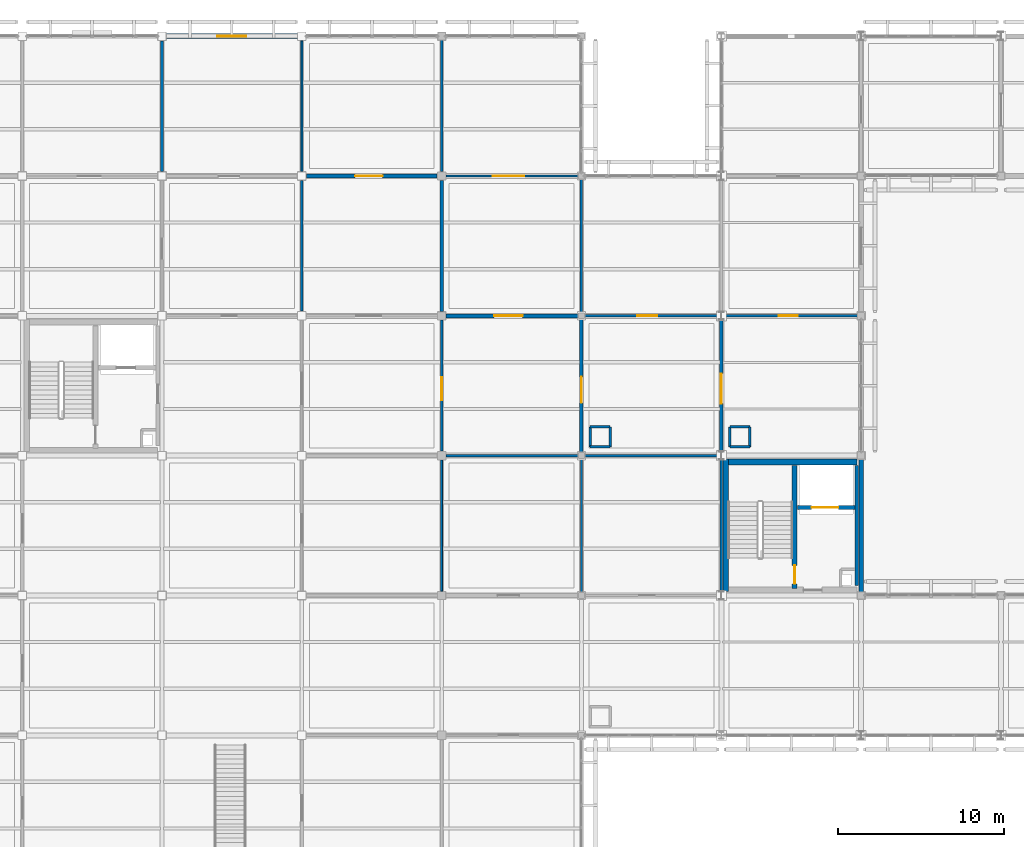
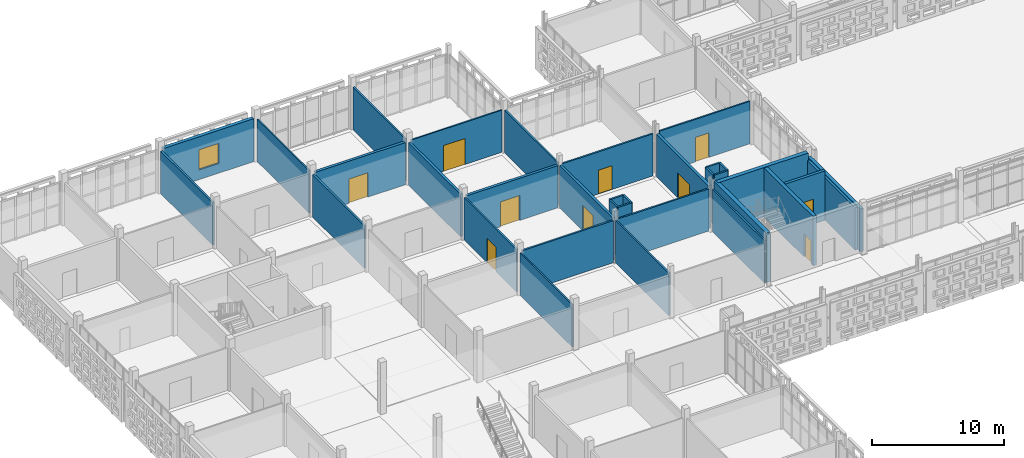
# One storey, part 121 of 203: 34 walls, 10 doors, 1 window, 11 openings.
"""IFC4 building model written with IfcOpenShell, lengths in metres."""

from ifc_helpers import new_model, si_unit, direction, frame, frame_2d, origin, place, context, subcontext, project, spatial, rectangle, extrude, material, layer, layer_set, type_object, element, fill, save


model = new_model("IFC4")

# Units and contexts
model_context = context("Model", 3, precision=1e-05, world=origin(), true_north=direction((0.0, 1.0)))
body_context = subcontext(model_context, "Body", "Model", "MODEL_VIEW")
ifc_project = project(units=[si_unit("LENGTHUNIT", "METRE"), si_unit("AREAUNIT", "SQUARE_METRE"), si_unit("VOLUMEUNIT", "CUBIC_METRE"), si_unit("PLANEANGLEUNIT", "RADIAN"), si_unit("MASSUNIT", "GRAM", prefix="KILO")], contexts=[model_context])

# Site, building, storey
site_placement = place(None, origin())
site = spatial("IfcSite", under=ifc_project, at=site_placement, CompositionType="ELEMENT")
building_placement = place(site_placement, origin())
building = spatial("IfcBuilding", under=site, at=building_placement, Name="Varnapada Polytechnic", CompositionType="ELEMENT")
storey_placement = place(building_placement, frame((0.0, 0.0, 4.800048828125)))
storey = spatial("IfcBuildingStorey", under=building, at=storey_placement, Name="L01", CompositionType="ELEMENT", Elevation=4.800048828125)

# Walls
ifc_material_1 = material(Name="Autoclaved Aerated Concrete Block AAC-600", Category="concrete")
ifc_layer_1 = layer(ifc_material_1, 0.199951171875)
ifc_layer_set_1 = layer_set([ifc_layer_1], Name="Autoclaved Aerated Concrete Block AAC-600")
wall_type_1 = type_object("IfcWallType", Name="Interior Wall IW-01", PredefinedType="PARTITIONING", material=ifc_layer_set_1)
wall_1_placement = place(storey_placement, frame((58.5400390625, 100.199951171875, 0.0), z_axis=(0.0, 0.0, 1.0), x_axis=(0.0, -1.0, 0.0)))
element("IfcWall", 1, at=wall_1_placement, inside=storey, type_object=wall_type_1, Name="L01 C4 firefighting lobby east wall", PredefinedType="PARTITIONING", context=body_context, shape_type="SweptSolid", body=[
    extrude(rectangle(XDim=7.199951171875, YDim=0.199951171875, at=frame_2d((3.60009765625, 0.0))), origin(), (0.0, 0.0, 1.0), 3.919921875),
])
ifc_layer_2 = layer(ifc_material_1, 0.14990234375)
ifc_layer_set_2 = layer_set([ifc_layer_2], Name="Autoclaved Aerated Concrete Block AAC-600")
wall_type_2 = type_object("IfcWallType", Name="Interior Wall IW-02", PredefinedType="PARTITIONING", material=ifc_layer_set_2)
for number, where, z_axis, x_axis, name in (
    (2, (42.52001953125, 101.320068359375, 0.0), (0.0, 0.0, 1.0), (1.0, 0.0, 0.0), "L01 enclosed service riser wall (6,13) S"),
    (3, (43.719970703125, 101.320068359375, 0.0), (0.0, 0.0, 1.0), (0.0, 1.0, 0.0), "L01 enclosed service riser wall (6,13) E"),
    (4, (43.719970703125, 102.52001953125, 0.0), (0.0, 0.0, 1.0), (-1.0, 0.0, 0.0), "L01 enclosed service riser wall (6,13) N"),
    (5, (42.52001953125, 102.52001953125, 0.0), (0.0, 0.0, 1.0), (0.0, -1.0, 0.0), "L01 enclosed service riser wall (6,13) W"),
):
    element("IfcWall", number, at=place(storey_placement, frame(where, z_axis=z_axis, x_axis=x_axis)), inside=storey, type_object=wall_type_2, Name=name, PredefinedType="PARTITIONING", context=body_context, shape_type="SweptSolid", body=[
        extrude(rectangle(XDim=1.199951171875, YDim=0.14990234375, at=frame_2d((0.60009765625, 0.0))), origin(), (0.0, 0.0, 1.0), 4.530029296875),
    ])
wall_2_placement = place(storey_placement, frame((50.919921875, 101.320068359375, 0.0), z_axis=(0.0, 0.0, 1.0), x_axis=(1.0, 0.0, 0.0)))
element("IfcWall", 6, at=wall_2_placement, inside=storey, type_object=wall_type_2, Name="L01 enclosed service riser wall (7,13) S", PredefinedType="PARTITIONING", context=body_context, shape_type="SweptSolid", body=[
    extrude(rectangle(XDim=1.2001953125, YDim=0.14990234375, at=frame_2d((0.60009765625, 0.0))), origin(), (0.0, 0.0, 1.0), 4.56005859375),
])
wall_3_placement = place(storey_placement, frame((52.1201171875, 101.320068359375, 0.0), z_axis=(0.0, 0.0, 1.0), x_axis=(0.0, 1.0, 0.0)))
element("IfcWall", 7, at=wall_3_placement, inside=storey, type_object=wall_type_2, Name="L01 enclosed service riser wall (7,13) E", PredefinedType="PARTITIONING", context=body_context, shape_type="SweptSolid", body=[
    extrude(rectangle(XDim=1.199951171875, YDim=0.14990234375, at=frame_2d((0.60009765625, 0.0))), origin(), (0.0, 0.0, 1.0), 4.56005859375),
])
wall_4_placement = place(storey_placement, frame((52.1201171875, 102.52001953125, 0.0), z_axis=(0.0, 0.0, 1.0), x_axis=(-1.0, 0.0, 0.0)))
element("IfcWall", 8, at=wall_4_placement, inside=storey, type_object=wall_type_2, Name="L01 enclosed service riser wall (7,13) N", PredefinedType="PARTITIONING", context=body_context, shape_type="SweptSolid", body=[
    extrude(rectangle(XDim=1.2001953125, YDim=0.14990234375, at=frame_2d((0.60009765625, 0.0))), origin(), (0.0, 0.0, 1.0), 4.56005859375),
])
wall_5_placement = place(storey_placement, frame((50.919921875, 102.52001953125, 0.0), z_axis=(0.0, 0.0, 1.0), x_axis=(0.0, -1.0, 0.0)))
element("IfcWall", 9, at=wall_5_placement, inside=storey, type_object=wall_type_2, Name="L01 enclosed service riser wall (7,13) W", PredefinedType="PARTITIONING", context=body_context, shape_type="SweptSolid", body=[
    extrude(rectangle(XDim=1.199951171875, YDim=0.14990234375, at=frame_2d((0.60009765625, 0.0))), origin(), (0.0, 0.0, 1.0), 4.56005859375),
])
wall_6_placement = place(storey_placement, frame((33.60009765625, 117.8701171875, 0.0), z_axis=(0.0, 0.0, 1.0), x_axis=(0.0, 1.0, 0.0)))
element("IfcWall", 10, at=wall_6_placement, inside=storey, type_object=wall_type_2, Name="L01 interior partition IW-L01-03-14-V", PredefinedType="PARTITIONING", context=body_context, shape_type="SweptSolid", body=[
    extrude(rectangle(XDim=7.889892578125, YDim=0.14990234375, at=frame_2d((3.94482421875, 0.0))), origin(), (0.0, 0.0, 1.0), 3.919921875),
])
wall_7_placement = place(storey_placement, frame((42.0, 109.389892578125, 0.0), z_axis=(0.0, 0.0, 1.0), x_axis=(0.0, 1.0, 0.0)))
element("IfcWall", 11, at=wall_7_placement, inside=storey, type_object=wall_type_2, Name="L01 interior partition IW-L01-04-13-V", PredefinedType="PARTITIONING", context=body_context, shape_type="SweptSolid", body=[
    extrude(rectangle(XDim=8.010009765625, YDim=0.14990234375, at=frame_2d((4.0048828125, 0.0))), origin(), (0.0, 0.0, 1.0), 3.919921875),
])

# Wall, opening, door
wall_8_placement = place(storey_placement, frame((42.18994140625, 109.199951171875, 0.0), z_axis=(0.0, 0.0, 1.0), x_axis=(1.0, 0.0, 0.0)))
wall_8 = element("IfcWall", 12, at=wall_8_placement, inside=storey, type_object=wall_type_2, Name="L01 interior partition IW-L01-05-12-H", PredefinedType="PARTITIONING", context=body_context, shape_type="SweptSolid", body=[
    extrude(rectangle(XDim=7.93994140625, YDim=0.14990234375, at=frame_2d((3.969970703125, 0.0))), origin(), (0.0, 0.0, 1.0), 3.889892578125),
])
opening_1_placement = place(wall_8_placement, frame((3.14990234375, 0.0, 0.0)))
opening_1 = element("IfcOpeningElement", 13, at=opening_1_placement, cuts=wall_8, Name="Opening D-1006", PredefinedType="OPENING", context=body_context, shape_type="SweptSolid", body=[
    extrude(rectangle(XDim=1.199951171875, YDim=2.199951171875, at=frame_2d((0.60009765625, 1.10009765625))), frame((0.0, 0.0849609375, 0.0), z_axis=(0.0, -1.0, 0.0), x_axis=(1.0, 0.0, 0.0)), (0.0, 0.0, 1.0), 0.169921875),
])
ifc_material_2 = material(Name="Solid Teak Hardwood Timber", Category="wood")
door_type_1 = type_object("IfcDoorType", Name="Interior Door ID-05", OperationType="NOTDEFINED", PredefinedType="DOOR", material=ifc_material_2)
door_1_placement = place(opening_1_placement, origin())
door_1 = element("IfcDoor", 14, at=door_1_placement, inside=storey, type_object=door_type_1, Name="L01 interior room door D-1006", OperationType="SINGLE_SWING_LEFT", OverallHeight=2.199951171875, OverallWidth=1.199951171875, PredefinedType="DOOR", context=body_context, shape_type="SweptSolid", body=[
    extrude(rectangle(XDim=1.199951171875, YDim=2.199951171875, at=frame_2d((0.60009765625, 1.10009765625))), frame((0.0, 0.02490234375, 0.0), z_axis=(0.0, -1.0, 0.0), x_axis=(1.0, 0.0, 0.0)), (0.0, 0.0, 1.0), 0.050048828125),
])
fill(opening_1, door_1)

ifc_material_3 = material(Name="Gypsum Plasterboard Acoustic Partition")
ifc_layer_3 = layer(ifc_material_3, 0.125)
ifc_layer_set_3 = layer_set([ifc_layer_3], Name="Gypsum Plasterboard Acoustic Partition")
wall_type_3 = type_object("IfcWallType", Name="Interior Wall IW-03", PredefinedType="PARTITIONING", material=ifc_layer_set_3)
wall_9_placement = place(storey_placement, frame((33.8701171875, 117.60009765625, 0.0), z_axis=(0.0, 0.0, 1.0), x_axis=(1.0, 0.0, 0.0)))
wall_9 = element("IfcWall", 15, at=wall_9_placement, inside=storey, type_object=wall_type_3, Name="L01 interior partition IW-L01-04-13-H", PredefinedType="PARTITIONING", context=body_context, shape_type="SweptSolid", body=[
    extrude(rectangle(XDim=7.929931640625, YDim=0.125, at=frame_2d((3.96484375, 0.0))), origin(), (0.0, 0.0, 1.0), 3.889892578125),
])
opening_2_placement = place(wall_9_placement, frame((2.800048828125, 0.0, 0.0)))
opening_2 = element("IfcOpeningElement", 16, at=opening_2_placement, cuts=wall_9, Name="Opening D-998", PredefinedType="OPENING", context=body_context, shape_type="SweptSolid", body=[
    extrude(rectangle(XDim=1.89990234375, YDim=2.39990234375, at=frame_2d((0.949951171875, 1.199951171875))), frame((0.0, 0.072509765625, 0.0), z_axis=(0.0, -1.0, 0.0), x_axis=(1.0, 0.0, 0.0)), (0.0, 0.0, 1.0), 0.14501953125),
])
ifc_material_4 = material(Name="Heavy Workshop Double Steel Door", Category="steel")
door_type_2 = type_object("IfcDoorType", Name="Interior Door ID-14", OperationType="NOTDEFINED", PredefinedType="DOOR", material=ifc_material_4)
door_2_placement = place(opening_2_placement, frame((1.89990234375, 0.0, 0.0), z_axis=(0.0, 0.0, 1.0), x_axis=(-1.0, 0.0, 0.0)))
door_2 = element("IfcDoor", 17, at=door_2_placement, inside=storey, type_object=door_type_2, Name="L01 interior room door D-998", OperationType="SINGLE_SWING_LEFT", OverallHeight=2.39990234375, OverallWidth=1.89990234375, PredefinedType="DOOR", context=body_context, shape_type="SweptSolid", body=[
    extrude(rectangle(XDim=1.89990234375, YDim=2.39990234375, at=frame_2d((0.949951171875, 1.199951171875))), frame((0.0, 0.02490234375, 0.0), z_axis=(0.0, -1.0, 0.0), x_axis=(1.0, 0.0, 0.0)), (0.0, 0.0, 1.0), 0.050048828125),
])
fill(opening_2, door_2)

# Walls
ifc_material_5 = material(Name="Moisture-Resistant Cement Board Partition")
ifc_layer_4 = layer(ifc_material_5, 0.139892578125)
ifc_layer_set_4 = layer_set([ifc_layer_4], Name="Moisture-Resistant Cement Board Partition")
wall_type_4 = type_object("IfcWallType", Name="Interior Wall IW-04", PredefinedType="PARTITIONING", material=ifc_layer_set_4)
wall_10_placement = place(storey_placement, frame((42.0, 92.590087890625, 0.0), z_axis=(0.0, 0.0, 1.0), x_axis=(0.0, 1.0, 0.0)))
element("IfcWall", 18, at=wall_10_placement, inside=storey, type_object=wall_type_4, Name="L01 interior partition IW-L01-04-11-V", PredefinedType="PARTITIONING", context=body_context, shape_type="SweptSolid", body=[
    extrude(rectangle(XDim=8.010009765625, YDim=0.139892578125, at=frame_2d((4.0048828125, 0.0))), origin(), (0.0, 0.0, 1.0), 3.919921875),
])
wall_11_placement = place(storey_placement, frame((50.39990234375, 92.669921875, 0.0), z_axis=(0.0, 0.0, 1.0), x_axis=(0.0, 1.0, 0.0)))
element("IfcWall", 19, at=wall_11_placement, inside=storey, type_object=wall_type_4, Name="L01 interior partition IW-L01-05-11-V", PredefinedType="PARTITIONING", context=body_context, shape_type="SweptSolid", body=[
    extrude(rectangle(XDim=7.860107421875, YDim=0.139892578125, at=frame_2d((3.93017578125, 0.0))), origin(), (0.0, 0.0, 1.0), 3.919921875),
])
wall_12_placement = place(storey_placement, frame((42.199951171875, 100.800048828125, 0.0), z_axis=(0.0, 0.0, 1.0), x_axis=(1.0, 0.0, 0.0)))
element("IfcWall", 20, at=wall_12_placement, inside=storey, type_object=wall_type_4, Name="L01 interior partition IW-L01-05-11-H", PredefinedType="PARTITIONING", context=body_context, shape_type="SweptSolid", body=[
    extrude(rectangle(XDim=7.929931640625, YDim=0.139892578125, at=frame_2d((3.96484375, 0.0))), origin(), (0.0, 0.0, 1.0), 3.889892578125),
])

# Wall, opening, door
ifc_material_6 = material(Name="Calcium Silicate Acoustic Lab Partition")
ifc_layer_5 = layer(ifc_material_6, 0.135009765625)
ifc_layer_set_5 = layer_set([ifc_layer_5], Name="Calcium Silicate Acoustic Lab Partition")
wall_type_5 = type_object("IfcWallType", Name="Interior Wall IW-09", PredefinedType="PARTITIONING", material=ifc_layer_set_5)
wall_13_placement = place(storey_placement, frame((50.669921875, 109.199951171875, 0.0), z_axis=(0.0, 0.0, 1.0), x_axis=(1.0, 0.0, 0.0)))
wall_13 = element("IfcWall", 21, at=wall_13_placement, inside=storey, type_object=wall_type_5, Name="L01 interior partition IW-L01-06-12-H", PredefinedType="PARTITIONING", context=body_context, shape_type="SweptSolid", body=[
    extrude(rectangle(XDim=7.900146484375, YDim=0.135009765625, at=frame_2d((3.9501953125, 0.0))), origin(), (0.0, 0.0, 1.0), 3.919921875),
])
opening_3_placement = place(wall_13_placement, frame((3.175048828125, 0.0, 0.0)))
opening_3 = element("IfcOpeningElement", 22, at=opening_3_placement, cuts=wall_13, Name="Opening D-1011", PredefinedType="OPENING", context=body_context, shape_type="SweptSolid", body=[
    extrude(rectangle(XDim=1.14990234375, YDim=2.25, at=frame_2d((0.574951171875, 1.125))), frame((0.0, 0.077392578125, 0.0), z_axis=(0.0, -1.0, 0.0), x_axis=(1.0, 0.0, 0.0)), (0.0, 0.0, 1.0), 0.155029296875),
])
ifc_material_7 = material(Name="Powder-Coated Aluminium 6063-T6", Category="aluminium")
door_type_3 = type_object("IfcDoorType", Name="Interior Door ID-10", OperationType="NOTDEFINED", PredefinedType="DOOR", material=ifc_material_7)
door_3_placement = place(opening_3_placement, origin())
door_3 = element("IfcDoor", 23, at=door_3_placement, inside=storey, type_object=door_type_3, Name="L01 interior room door D-1011", OperationType="SINGLE_SWING_RIGHT", OverallHeight=2.25, OverallWidth=1.14990234375, PredefinedType="DOOR", context=body_context, shape_type="SweptSolid", body=[
    extrude(rectangle(XDim=1.14990234375, YDim=2.25, at=frame_2d((0.574951171875, 1.125))), frame((0.0, 0.02490234375, 0.0), z_axis=(0.0, -1.0, 0.0), x_axis=(1.0, 0.0, 0.0)), (0.0, 0.0, 1.0), 0.050048828125),
])
fill(opening_3, door_3)

# Walls
ifc_material_8 = material(Name="Double-Layer Fireboard Workshop Wall")
ifc_layer_6 = layer(ifc_material_8, 0.169921875)
ifc_layer_set_6 = layer_set([ifc_layer_6], Name="Double-Layer Fireboard Workshop Wall")
wall_type_6 = type_object("IfcWallType", Name="Interior Wall IW-10", PredefinedType="PARTITIONING", material=ifc_layer_set_6)
for number, where, z_axis, x_axis, name in (
    (24, (16.800048828125, 117.8798828125, 0.0), (0.0, 0.0, 1.0), (0.0, 1.0, 0.0), "L01 interior partition IW-L01-01-14-V"),
    (25, (25.199951171875, 109.47998046875, 0.0), (0.0, 0.0, 1.0), (0.0, 1.0, 0.0), "L01 interior partition IW-L01-02-13-V"),
):
    element("IfcWall", number, at=place(storey_placement, frame(where, z_axis=z_axis, x_axis=x_axis)), inside=storey, type_object=wall_type_6, Name=name, PredefinedType="PARTITIONING", context=body_context, shape_type="SweptSolid", body=[
        extrude(rectangle(XDim=7.840087890625, YDim=0.169921875, at=frame_2d((3.919921875, 0.0))), origin(), (0.0, 0.0, 1.0), 3.919921875),
    ])
ifc_material_9 = material(Name="Timber-Stud Studio Critique Partition", Category="wood")
ifc_layer_7 = layer(ifc_material_9, 0.114990234375)
ifc_layer_set_7 = layer_set([ifc_layer_7], Name="Timber-Stud Studio Critique Partition")
wall_type_7 = type_object("IfcWallType", Name="Interior Wall IW-12", PredefinedType="PARTITIONING", material=ifc_layer_set_7)
wall_14_placement = place(storey_placement, frame((25.199951171875, 117.8798828125, 0.0), z_axis=(0.0, 0.0, 1.0), x_axis=(0.0, 1.0, 0.0)))
element("IfcWall", 26, at=wall_14_placement, inside=storey, type_object=wall_type_7, Name="L01 interior partition IW-L01-02-14-V", PredefinedType="PARTITIONING", context=body_context, shape_type="SweptSolid", body=[
    extrude(rectangle(XDim=7.840087890625, YDim=0.114990234375, at=frame_2d((3.919921875, 0.0))), origin(), (0.0, 0.0, 1.0), 3.919921875),
])
wall_15_placement = place(storey_placement, frame((33.60009765625, 92.659912109375, 0.0), z_axis=(0.0, 0.0, 1.0), x_axis=(0.0, 1.0, 0.0)))
element("IfcWall", 27, at=wall_15_placement, inside=storey, type_object=wall_type_7, Name="L01 interior partition IW-L01-03-11-V", PredefinedType="PARTITIONING", context=body_context, shape_type="SweptSolid", body=[
    extrude(rectangle(XDim=7.8701171875, YDim=0.114990234375, at=frame_2d((3.93505859375, 0.0))), origin(), (0.0, 0.0, 1.0), 3.919921875),
])

# Wall, opening, door
ifc_material_10 = material(Name="Ceramic-Tiled Wet Laboratory Wall")
ifc_layer_8 = layer(ifc_material_10, 0.14501953125)
ifc_layer_set_8 = layer_set([ifc_layer_8], Name="Ceramic-Tiled Wet Laboratory Wall")
wall_type_8 = type_object("IfcWallType", Name="Interior Wall IW-14", PredefinedType="PARTITIONING", material=ifc_layer_set_8)
wall_16_placement = place(storey_placement, frame((33.60009765625, 101.070068359375, 0.0), z_axis=(0.0, 0.0, 1.0), x_axis=(0.0, 1.0, 0.0)))
wall_16 = element("IfcWall", 28, at=wall_16_placement, inside=storey, type_object=wall_type_8, Name="L01 interior partition IW-L01-03-12-V", PredefinedType="PARTITIONING", context=body_context, shape_type="SweptSolid", body=[
    extrude(rectangle(XDim=7.869873046875, YDim=0.14501953125, at=frame_2d((3.93505859375, 0.0))), origin(), (0.0, 0.0, 1.0), 3.919921875),
])
opening_4_placement = place(wall_16_placement, frame((3.050048828125, 0.0, 0.0)))
opening_4 = element("IfcOpeningElement", 29, at=opening_4_placement, cuts=wall_16, Name="Opening D-990", PredefinedType="OPENING", context=body_context, shape_type="SweptSolid", body=[
    extrude(rectangle(XDim=1.39990234375, YDim=2.25, at=frame_2d((0.699951171875, 1.125))), frame((0.0, 0.08251953125, 0.0), z_axis=(0.0, -1.0, 0.0), x_axis=(1.0, 0.0, 0.0)), (0.0, 0.0, 1.0), 0.1650390625),
])
door_type_4 = type_object("IfcDoorType", Name="Interior Door ID-06", OperationType="NOTDEFINED", PredefinedType="DOOR", material=ifc_material_7)
door_4_placement = place(opening_4_placement, origin())
door_4 = element("IfcDoor", 30, at=door_4_placement, inside=storey, type_object=door_type_4, Name="L01 interior room door D-990", OperationType="SINGLE_SWING_LEFT", OverallHeight=2.25, OverallWidth=1.39990234375, PredefinedType="DOOR", context=body_context, shape_type="SweptSolid", body=[
    extrude(rectangle(XDim=1.39990234375, YDim=2.25, at=frame_2d((0.699951171875, 1.125))), frame((0.0, 0.02490234375, 0.0), z_axis=(0.0, -1.0, 0.0), x_axis=(1.0, 0.0, 0.0)), (0.0, 0.0, 1.0), 0.050048828125),
])
fill(opening_4, door_4)

# Walls
ifc_material_11 = material(Name="Perforated Timber-Lined Seminar Wall", Category="wood")
ifc_layer_9 = layer(ifc_material_11, 0.155029296875)
ifc_layer_set_9 = layer_set([ifc_layer_9], Name="Perforated Timber-Lined Seminar Wall")
wall_type_9 = type_object("IfcWallType", Name="Interior Wall IW-15", PredefinedType="PARTITIONING", material=ifc_layer_set_9)
wall_17_placement = place(storey_placement, frame((33.8701171875, 100.800048828125, 0.0), z_axis=(0.0, 0.0, 1.0), x_axis=(1.0, 0.0, 0.0)))
element("IfcWall", 31, at=wall_17_placement, inside=storey, type_object=wall_type_9, Name="L01 interior partition IW-L01-04-11-H", PredefinedType="PARTITIONING", context=body_context, shape_type="SweptSolid", body=[
    extrude(rectangle(XDim=7.929931640625, YDim=0.155029296875, at=frame_2d((3.96484375, 0.0))), origin(), (0.0, 0.0, 1.0), 3.889892578125),
])
ifc_material_12 = material(Name="Heavy Masonry Workshop Partition", Category="masonry")
ifc_layer_10 = layer(ifc_material_12, 0.2099609375)
ifc_layer_set_10 = layer_set([ifc_layer_10], Name="Heavy Masonry Workshop Partition")
wall_type_10 = type_object("IfcWallType", Name="Interior Wall IW-16", PredefinedType="PARTITIONING", material=ifc_layer_set_10)
wall_18_placement = place(storey_placement, frame((33.60009765625, 109.4599609375, 0.0), z_axis=(0.0, 0.0, 1.0), x_axis=(0.0, 1.0, 0.0)))
element("IfcWall", 32, at=wall_18_placement, inside=storey, type_object=wall_type_10, Name="L01 interior partition IW-L01-03-13-V", PredefinedType="PARTITIONING", context=body_context, shape_type="SweptSolid", body=[
    extrude(rectangle(XDim=7.8701171875, YDim=0.2099609375, at=frame_2d((3.93505859375, 0.0))), origin(), (0.0, 0.0, 1.0), 3.919921875),
])

# Wall, opening, door
wall_19_placement = place(storey_placement, frame((42.0, 101.0, 0.0), z_axis=(0.0, 0.0, 1.0), x_axis=(0.0, 1.0, 0.0)))
wall_19 = element("IfcWall", 33, at=wall_19_placement, inside=storey, type_object=wall_type_10, Name="L01 interior partition IW-L01-04-12-V", PredefinedType="PARTITIONING", context=body_context, shape_type="SweptSolid", body=[
    extrude(rectangle(XDim=8.010009765625, YDim=0.2099609375, at=frame_2d((4.0048828125, 0.0))), origin(), (0.0, 0.0, 1.0), 3.919921875),
])
opening_5_placement = place(wall_19_placement, frame((2.97509765625, 0.0, 0.0)))
opening_5 = element("IfcOpeningElement", 34, at=opening_5_placement, cuts=wall_19, Name="Opening D-996", PredefinedType="OPENING", context=body_context, shape_type="SweptSolid", body=[
    extrude(rectangle(XDim=1.550048828125, YDim=2.35009765625, at=frame_2d((0.77490234375, 1.175048828125))), frame((0.0, 0.114990234375, 0.0), z_axis=(0.0, -1.0, 0.0), x_axis=(1.0, 0.0, 0.0)), (0.0, 0.0, 1.0), 0.22998046875),
])
ifc_material_13 = material(Name="Galvanized Steel Z275", Category="steel")
door_type_5 = type_object("IfcDoorType", Name="Interior Door ID-12", OperationType="NOTDEFINED", PredefinedType="DOOR", material=ifc_material_13)
door_5_placement = place(opening_5_placement, origin())
door_5 = element("IfcDoor", 35, at=door_5_placement, inside=storey, type_object=door_type_5, Name="L01 interior room door D-996", OperationType="SINGLE_SWING_LEFT", OverallHeight=2.35009765625, OverallWidth=1.550048828125, PredefinedType="DOOR", context=body_context, shape_type="SweptSolid", body=[
    extrude(rectangle(XDim=1.550048828125, YDim=2.35009765625, at=frame_2d((0.77490234375, 1.175048828125))), frame((0.0, 0.02490234375, 0.0), z_axis=(0.0, -1.0, 0.0), x_axis=(1.0, 0.0, 0.0)), (0.0, 0.0, 1.0), 0.050048828125),
])
fill(opening_5, door_5)

ifc_material_14 = material(Name="Double-Leaf Acoustic Lecture Wall")
ifc_layer_11 = layer(ifc_material_14, 0.235107421875)
ifc_layer_set_11 = layer_set([ifc_layer_11], Name="Double-Leaf Acoustic Lecture Wall")
wall_type_11 = type_object("IfcWallType", Name="Interior Wall IW-17", PredefinedType="PARTITIONING", material=ifc_layer_set_11)
wall_20_placement = place(storey_placement, frame((25.47998046875, 117.60009765625, 0.0), z_axis=(0.0, 0.0, 1.0), x_axis=(1.0, 0.0, 0.0)))
wall_20 = element("IfcWall", 36, at=wall_20_placement, inside=storey, type_object=wall_type_11, Name="L01 interior partition IW-L01-03-13-H", PredefinedType="PARTITIONING", context=body_context, shape_type="SweptSolid", body=[
    extrude(rectangle(XDim=7.85009765625, YDim=0.235107421875, at=frame_2d((3.925048828125, 0.0))), origin(), (0.0, 0.0, 1.0), 3.889892578125),
])
opening_6_placement = place(wall_20_placement, frame((2.925048828125, 0.0, 0.0)))
opening_6 = element("IfcOpeningElement", 37, at=opening_6_placement, cuts=wall_20, Name="Opening D-992", PredefinedType="OPENING", context=body_context, shape_type="SweptSolid", body=[
    extrude(rectangle(XDim=1.64990234375, YDim=2.25, at=frame_2d((0.824951171875, 1.125))), frame((0.0, 0.12744140625, 0.0), z_axis=(0.0, -1.0, 0.0), x_axis=(1.0, 0.0, 0.0)), (0.0, 0.0, 1.0), 0.255126953125),
])
door_type_6 = type_object("IfcDoorType", Name="Interior Door ID-08", OperationType="NOTDEFINED", PredefinedType="DOOR", material=ifc_material_2)
door_6_placement = place(opening_6_placement, frame((1.64990234375, 0.0, 0.0), z_axis=(0.0, 0.0, 1.0), x_axis=(-1.0, 0.0, 0.0)))
door_6 = element("IfcDoor", 38, at=door_6_placement, inside=storey, type_object=door_type_6, Name="L01 interior room door D-992", OperationType="SINGLE_SWING_LEFT", OverallHeight=2.25, OverallWidth=1.64990234375, PredefinedType="DOOR", context=body_context, shape_type="SweptSolid", body=[
    extrude(rectangle(XDim=1.64990234375, YDim=2.25, at=frame_2d((0.824951171875, 1.125))), frame((0.0, 0.02490234375, 0.0), z_axis=(0.0, -1.0, 0.0), x_axis=(1.0, 0.0, 0.0)), (0.0, 0.0, 1.0), 0.050048828125),
])
fill(opening_6, door_6)

wall_21_placement = place(storey_placement, frame((33.860107421875, 109.199951171875, 0.0), z_axis=(0.0, 0.0, 1.0), x_axis=(1.0, 0.0, 0.0)))
wall_21 = element("IfcWall", 39, at=wall_21_placement, inside=storey, type_object=wall_type_11, Name="L01 interior partition IW-L01-04-12-H", PredefinedType="PARTITIONING", context=body_context, shape_type="SweptSolid", body=[
    extrude(rectangle(XDim=7.949951171875, YDim=0.235107421875, at=frame_2d((3.97509765625, 0.0))), origin(), (0.0, 0.0, 1.0), 3.889892578125),
])
opening_7_placement = place(wall_21_placement, frame((2.89990234375, 0.0, 0.0)))
opening_7 = element("IfcOpeningElement", 40, at=opening_7_placement, cuts=wall_21, Name="Opening D-997", PredefinedType="OPENING", context=body_context, shape_type="SweptSolid", body=[
    extrude(rectangle(XDim=1.699951171875, YDim=2.300048828125, at=frame_2d((0.85009765625, 1.14990234375))), frame((0.0, 0.12744140625, 0.0), z_axis=(0.0, -1.0, 0.0), x_axis=(1.0, 0.0, 0.0)), (0.0, 0.0, 1.0), 0.255126953125),
])
ifc_material_15 = material(Name="Acoustic Double Timber Leaf", Category="wood")
door_type_7 = type_object("IfcDoorType", Name="Interior Door ID-13", OperationType="NOTDEFINED", PredefinedType="DOOR", material=ifc_material_15)
door_7_placement = place(opening_7_placement, origin())
door_7 = element("IfcDoor", 41, at=door_7_placement, inside=storey, type_object=door_type_7, Name="L01 interior room door D-997", OperationType="SINGLE_SWING_RIGHT", OverallHeight=2.300048828125, OverallWidth=1.699951171875, PredefinedType="DOOR", context=body_context, shape_type="SweptSolid", body=[
    extrude(rectangle(XDim=1.699951171875, YDim=2.300048828125, at=frame_2d((0.85009765625, 1.14990234375))), frame((0.0, 0.02490234375, 0.0), z_axis=(0.0, -1.0, 0.0), x_axis=(1.0, 0.0, 0.0)), (0.0, 0.0, 1.0), 0.050048828125),
])
fill(opening_7, door_7)

wall_22_placement = place(storey_placement, frame((50.39990234375, 101.070068359375, 0.0), z_axis=(0.0, 0.0, 1.0), x_axis=(0.0, 1.0, 0.0)))
wall_22 = element("IfcWall", 42, at=wall_22_placement, inside=storey, type_object=wall_type_11, Name="L01 interior partition IW-L01-05-12-V", PredefinedType="PARTITIONING", context=body_context, shape_type="SweptSolid", body=[
    extrude(rectangle(XDim=7.85986328125, YDim=0.235107421875, at=frame_2d((3.929931640625, 0.0))), origin(), (0.0, 0.0, 1.0), 3.919921875),
])
opening_8_placement = place(wall_22_placement, frame((2.85009765625, 0.0, 0.0)))
opening_8 = element("IfcOpeningElement", 43, at=opening_8_placement, cuts=wall_22, Name="Opening D-1005", PredefinedType="OPENING", context=body_context, shape_type="SweptSolid", body=[
    extrude(rectangle(XDim=1.800048828125, YDim=2.300048828125, at=frame_2d((0.89990234375, 1.14990234375))), frame((0.0, 0.12744140625, 0.0), z_axis=(0.0, -1.0, 0.0), x_axis=(1.0, 0.0, 0.0)), (0.0, 0.0, 1.0), 0.255126953125),
])
door_type_8 = type_object("IfcDoorType", Name="Interior Door ID-04", OperationType="NOTDEFINED", PredefinedType="DOOR", material=ifc_material_15)
door_8_placement = place(opening_8_placement, origin())
door_8 = element("IfcDoor", 44, at=door_8_placement, inside=storey, type_object=door_type_8, Name="L01 interior room door D-1005", OperationType="SINGLE_SWING_RIGHT", OverallHeight=2.300048828125, OverallWidth=1.800048828125, PredefinedType="DOOR", context=body_context, shape_type="SweptSolid", body=[
    extrude(rectangle(XDim=1.800048828125, YDim=2.300048828125, at=frame_2d((0.89990234375, 1.14990234375))), frame((0.0, 0.02490234375, 0.0), z_axis=(0.0, -1.0, 0.0), x_axis=(1.0, 0.0, 0.0)), (0.0, 0.0, 1.0), 0.050048828125),
])
fill(opening_8, door_8)

# Walls
ifc_material_16 = material(Name="Concrete C40/50", Category="concrete")
ifc_layer_12 = layer(ifc_material_16, 0.35009765625)
ifc_layer_set_12 = layer_set([ifc_layer_12], Name="Concrete C40/50")
wall_type_12 = type_object("IfcWallType", Name="Interior Wall SW-01", PredefinedType="SHEAR", material=ifc_layer_set_12)
wall_23_placement = place(storey_placement, frame((50.6650390625, 92.64990234375, 0.0), z_axis=(0.0, 0.0, 1.0), x_axis=(0.0, 1.0, 0.0)))
element("IfcWall", 45, at=wall_23_placement, inside=storey, type_object=wall_type_12, Name="L01 C4 stair west shear wall", PredefinedType="SHEAR", context=body_context, shape_type="SweptSolid", body=[
    extrude(rectangle(XDim=7.940185546875, YDim=0.35009765625, at=frame_2d((3.97021484375, 0.0))), origin(), (0.0, 0.0, 1.0), 4.56005859375),
])
wall_24_placement = place(storey_placement, frame((50.6650390625, 100.419921875, 0.0), z_axis=(0.0, 0.0, 1.0), x_axis=(1.0, 0.0, 0.0)))
element("IfcWall", 46, at=wall_24_placement, inside=storey, type_object=wall_type_12, Name="L01 C4 core north shear wall", PredefinedType="SHEAR", context=body_context, shape_type="SweptSolid", body=[
    extrude(rectangle(XDim=7.875, YDim=0.35009765625, at=frame_2d((3.9375, 0.0))), origin(), (0.0, 0.0, 1.0), 4.56005859375),
])

# Wall, opening, door
ifc_layer_13 = layer(ifc_material_16, 0.300048828125)
ifc_layer_set_13 = layer_set([ifc_layer_13], Name="Concrete C40/50")
wall_type_13 = type_object("IfcWallType", Name="Interior Wall SW-02", PredefinedType="SHEAR", material=ifc_layer_set_13)
wall_25_placement = place(storey_placement, frame((54.81005859375, 92.820068359375, 0.0), z_axis=(0.0, 0.0, 1.0), x_axis=(0.0, 1.0, 0.0)))
wall_25 = element("IfcWall", 47, at=wall_25_placement, inside=storey, type_object=wall_type_13, Name="L01 C4 stair-lobby dividing shear wall", PredefinedType="SHEAR", context=body_context, shape_type="SweptSolid", body=[
    extrude(rectangle(XDim=7.3798828125, YDim=0.300048828125, at=frame_2d((3.68994140625, 0.0))), origin(), (0.0, 0.0, 1.0), 4.56005859375),
])
opening_9_placement = place(wall_25_placement, frame((0.280029296875, 0.0, 0.0)))
opening_9 = element("IfcOpeningElement", 48, at=opening_9_placement, cuts=wall_25, Name="Opening D-952", PredefinedType="OPENING", context=body_context, shape_type="SweptSolid", body=[
    extrude(rectangle(XDim=1.10009765625, YDim=2.14990234375, at=frame_2d((0.550048828125, 1.074951171875))), frame((0.0, 0.159912109375, 0.0), z_axis=(0.0, -1.0, 0.0), x_axis=(1.0, 0.0, 0.0)), (0.0, 0.0, 1.0), 0.320068359375),
])
door_type_9 = type_object("IfcDoorType", Name="Interior Door ID-01", OperationType="NOTDEFINED", PredefinedType="DOOR", material=ifc_material_13)
door_9_placement = place(opening_9_placement, origin())
door_9 = element("IfcDoor", 49, at=door_9_placement, inside=storey, type_object=door_type_9, Name="L01 C4 exit stair door D-952", OperationType="SINGLE_SWING_LEFT", OverallHeight=2.14990234375, OverallWidth=1.10009765625, PredefinedType="DOOR", context=body_context, shape_type="SweptSolid", body=[
    extrude(rectangle(XDim=1.10009765625, YDim=2.14990234375, at=frame_2d((0.550048828125, 1.074951171875))), frame((0.0, 0.02490234375, 0.0), z_axis=(0.0, -1.0, 0.0), x_axis=(1.0, 0.0, 0.0)), (0.0, 0.0, 1.0), 0.050048828125),
])
fill(opening_9, door_9)

ifc_layer_14 = layer(ifc_material_16, 0.25)
ifc_layer_set_14 = layer_set([ifc_layer_14], Name="Concrete C40/50")
wall_type_14 = type_object("IfcWallType", Name="Interior Wall SW-05", PredefinedType="SHEAR", material=ifc_layer_set_14)
wall_26_placement = place(storey_placement, frame((54.97998046875, 97.679931640625, 0.0), z_axis=(0.0, 0.0, 1.0), x_axis=(1.0, 0.0, 0.0)))
wall_26 = element("IfcWall", 50, at=wall_26_placement, inside=storey, type_object=wall_type_14, Name="L01 C4 lift shaft front wall", PredefinedType="SHEAR", context=body_context, shape_type="SweptSolid", body=[
    extrude(rectangle(XDim=3.4599609375, YDim=0.25, at=frame_2d((1.72998046875, 0.0))), origin(), (0.0, 0.0, 1.0), 4.56005859375),
])
opening_10_placement = place(wall_26_placement, frame((0.85009765625, 0.0, 0.0)))
opening_10 = element("IfcOpeningElement", 51, at=opening_10_placement, cuts=wall_26, Name="Opening LD-016", PredefinedType="OPENING", context=body_context, shape_type="SweptSolid", body=[
    extrude(rectangle(XDim=1.60009765625, YDim=2.300048828125, at=frame_2d((0.800048828125, 1.14990234375))), frame((0.0, 0.135009765625, 0.0), z_axis=(0.0, -1.0, 0.0), x_axis=(1.0, 0.0, 0.0)), (0.0, 0.0, 1.0), 0.27001953125),
])
ifc_material_17 = material(Name="Brushed Stainless Steel 316", Category="steel")
door_type_10 = type_object("IfcDoorType", Name="Interior Door LD-02", OperationType="NOTDEFINED", PredefinedType="DOOR", material=ifc_material_17)
door_10_placement = place(opening_10_placement, origin())
door_10 = element("IfcDoor", 52, at=door_10_placement, inside=storey, type_object=door_type_10, Name="L01 LFT-04 sliding lift landing door LD-016", OperationType="DOUBLE_DOOR_SLIDING", OverallHeight=2.300048828125, OverallWidth=1.60009765625, PredefinedType="DOOR", context=body_context, shape_type="SweptSolid", body=[
    extrude(rectangle(XDim=1.60009765625, YDim=2.300048828125, at=frame_2d((0.800048828125, 1.14990234375))), frame((0.0, 0.02490234375, 0.0), z_axis=(0.0, -1.0, 0.0), x_axis=(1.0, 0.0, 0.0)), (0.0, 0.0, 1.0), 0.050048828125),
])
fill(opening_10, door_10)

# Wall, opening, window
ifc_material_18 = material(Name="Precast concrete C40/50", Category="concrete")
ifc_layer_15 = layer(ifc_material_18, 0.300048828125)
ifc_layer_set_15 = layer_set([ifc_layer_15], Name="Precast concrete C40/50")
wall_type_15 = type_object("IfcWallType", Name="Wall EW-01", PredefinedType="SOLIDWALL", material=ifc_layer_set_15)
wall_27_placement = place(storey_placement, frame((17.06005859375, 126.0, 0.0), z_axis=(0.0, 0.0, 1.0), x_axis=(1.0, 0.0, 0.0)))
wall_27 = element("IfcWall", 53, at=wall_27_placement, inside=storey, type_object=wall_type_15, Name="L01 exterior wall EW-01 (23)", PredefinedType="SOLIDWALL", context=body_context, shape_type="SweptSolid", body=[
    extrude(rectangle(XDim=7.8798828125, YDim=0.300048828125, at=frame_2d((3.93994140625, 0.0))), origin(), (0.0, 0.0, 1.0), 3.9599609375),
])
opening_11_placement = place(wall_27_placement, frame((3.06494140625, 0.0, 0.89990234375)))
opening_11 = element("IfcOpeningElement", 54, at=opening_11_placement, cuts=wall_27, Name="Opening WN-31", PredefinedType="OPENING", context=body_context, shape_type="SweptSolid", body=[
    extrude(rectangle(XDim=1.75, YDim=1.85009765625, at=frame_2d((0.875, 0.925048828125))), frame((0.0, 0.159912109375, 0.0), z_axis=(0.0, -1.0, 0.0), x_axis=(1.0, 0.0, 0.0)), (0.0, 0.0, 1.0), 0.320068359375),
])
ifc_material_19 = material(Name="Double low-E laminated glass", Category="glass")
window_type = type_object("IfcWindowType", Name="Window WN-31", PartitioningType="SINGLE_PANEL", PredefinedType="WINDOW", material=ifc_material_19)
window_placement = place(opening_11_placement, origin())
window = element("IfcWindow", 55, at=window_placement, inside=storey, type_object=window_type, Name="L01 window WN-31 (72)", OverallHeight=1.85009765625, OverallWidth=1.75, PartitioningType="SINGLE_PANEL", PredefinedType="WINDOW", context=body_context, shape_type="SweptSolid", body=[
    extrude(rectangle(XDim=1.75, YDim=1.85009765625, at=frame_2d((0.875, 0.925048828125))), frame((0.0, 0.030029296875, 0.0), z_axis=(0.0, -1.0, 0.0), x_axis=(1.0, 0.0, 0.0)), (0.0, 0.0, 1.0), 0.06005859375),
])
fill(opening_11, window)

# Wall
ifc_layer_16 = layer(ifc_material_18, 0.280029296875)
ifc_layer_set_16 = layer_set([ifc_layer_16], Name="Precast concrete C40/50")
wall_type_16 = type_object("IfcWallType", Name="Wall EW-02", PredefinedType="SOLIDWALL", material=ifc_layer_set_16)
wall_28_placement = place(storey_placement, frame((58.800048828125, 100.590087890625, 0.0), z_axis=(0.0, 0.0, 1.0), x_axis=(0.0, -1.0, 0.0)))
element("IfcWall", 56, at=wall_28_placement, inside=storey, type_object=wall_type_16, Name="L01 exterior wall EW-02 (49)", PredefinedType="SOLIDWALL", context=body_context, shape_type="SweptSolid", body=[
    extrude(rectangle(XDim=7.97998046875, YDim=0.280029296875, at=frame_2d((3.989990234375, 0.0))), origin(), (0.0, 0.0, 1.0), 3.9599609375),
])

save(model, "model.ifc")
